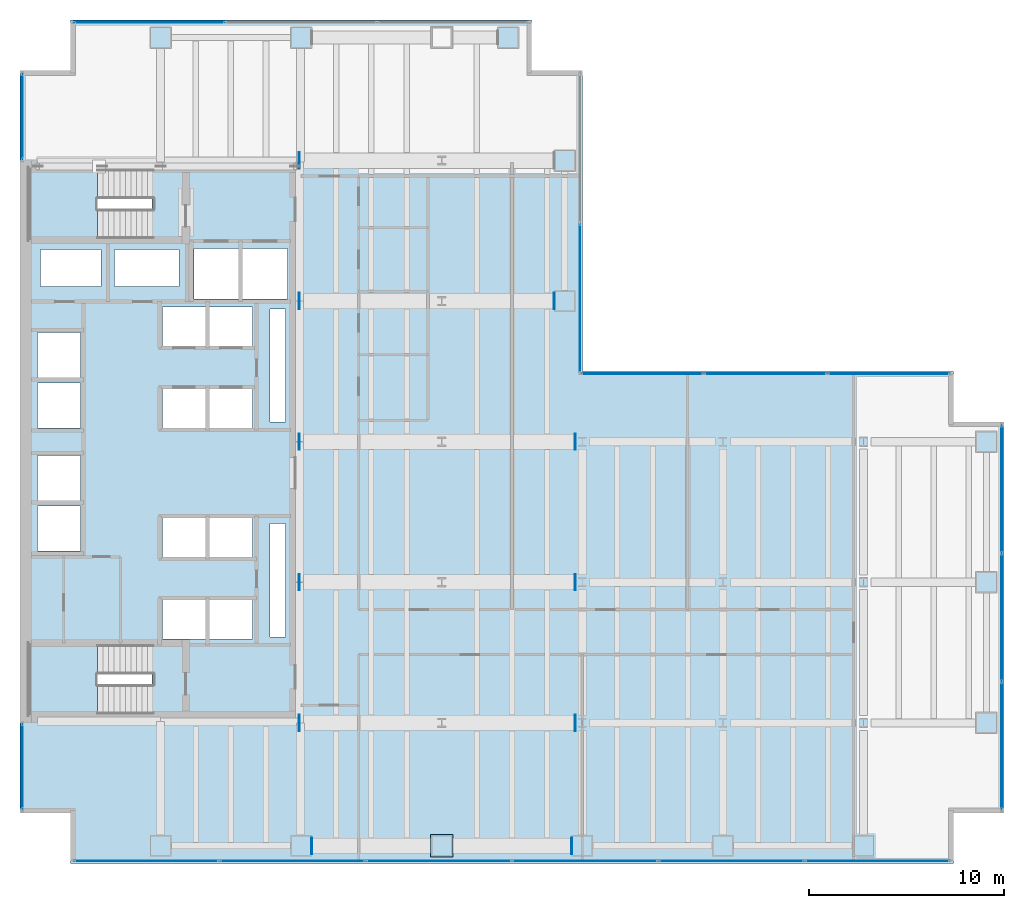
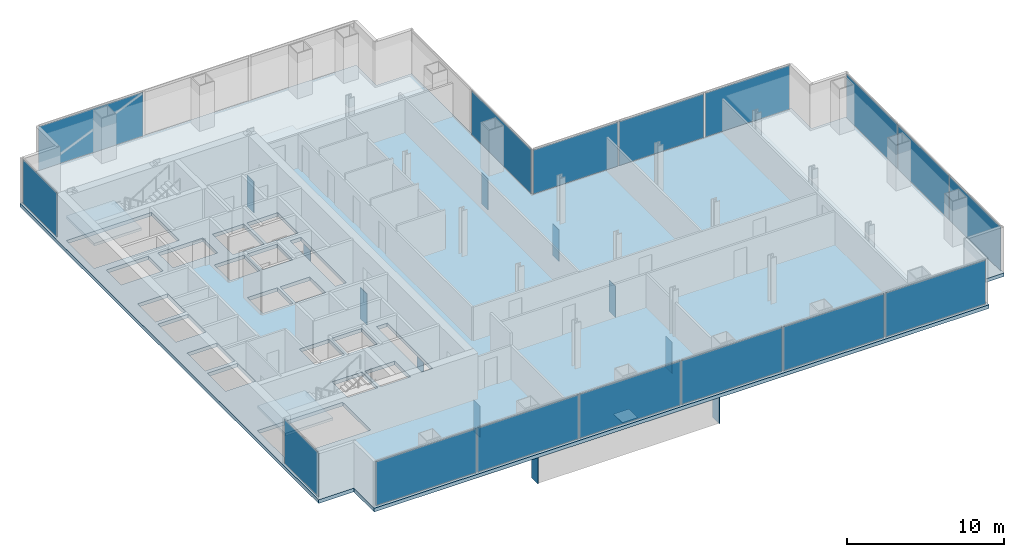
# One storey, part 19 of 24: 28 plates, 3 slabs, 20 openings, 9 elements without a shape of their own.
"""IFC4 building model written with IfcOpenShell, lengths in metres."""

from ifc_helpers import new_model, si_unit, direction, frame, origin, origin_2d, place, context, subcontext, project, spatial, polyline, rectangle, outline, extrude, material, layer, layer_set, type_object, element, aggregate, save


model = new_model("IFC4")

# Units and contexts
model_context = context("Model", 3, precision=1e-05, world=origin(), true_north=direction((0.0, 1.0)))
body_context = subcontext(model_context, "Body", "Model", "MODEL_VIEW")
ifc_project = project(units=[si_unit("LENGTHUNIT", "METRE"), si_unit("AREAUNIT", "SQUARE_METRE"), si_unit("VOLUMEUNIT", "CUBIC_METRE"), si_unit("PLANEANGLEUNIT", "RADIAN"), si_unit("MASSUNIT", "GRAM", prefix="KILO")], contexts=[model_context])

# Site, building, storey
site_placement = place(None, origin())
site = spatial("IfcSite", under=ifc_project, at=site_placement, CompositionType="ELEMENT")
building_placement = place(site_placement, origin())
building = spatial("IfcBuilding", under=site, at=building_placement, Name="Cobrela Telecom Tower", CompositionType="ELEMENT")
storey_placement = place(building_placement, frame((0.0, 0.0, 31.14990234375)))
storey = spatial("IfcBuildingStorey", under=building, at=storey_placement, Name="L07", CompositionType="ELEMENT", Elevation=31.14990234375)

# Curtain wall, plate
ifc_material_1 = material(Name="Anodized Bronze Aluminium 6063-T6", Category="aluminium")
curtain_wall_type = type_object("IfcCurtainWallType", Name="CW-SYS-DATA", PredefinedType="USERDEFINED", material=ifc_material_1)
curtain_wall_1_placement = place(storey_placement, origin())
curtain_wall_1 = element("IfcCurtainWall", 1, at=curtain_wall_1_placement, inside=storey, type_object=curtain_wall_type, Name="L07 Unitised Bronze Curtain Wall 03", ObjectType="UNITISED CURTAIN WALL", PredefinedType="USERDEFINED")
ifc_material_2 = material(Name="Solar-Control Bronze Low-E Glass", Category="glass")
ifc_layer_1 = layer(ifc_material_2, 0.0380859375)
ifc_layer_set_1 = layer_set([ifc_layer_1], Name="Solar-Control Bronze Low-E Glass")
plate_type_1 = type_object("IfcPlateType", Name="CW-SYS-DATA-PNL", PredefinedType="CURTAIN_PANEL", material=ifc_layer_set_1)
plate_1_placement = place(storey_placement, frame((0.1201171875, 4.955078125, 0.0751953125), z_axis=(0.0, 0.0, 1.0), x_axis=(0.0, 1.0, 0.0)))
plate_1 = element("IfcPlate", 2, at=plate_1_placement, type_object=plate_type_1, Name="CW-DATA panel 1.1", PredefinedType="CURTAIN_PANEL", context=body_context, shape_type="SweptSolid", body=[
    extrude(rectangle(XDim=4.330078125, YDim=0.0380859375, at=origin_2d()), origin(), (0.0, 0.0, 1.0), 3.419921875),
])
aggregate(curtain_wall_1, [plate_1])

curtain_wall_2_placement = place(storey_placement, origin())
curtain_wall_2 = element("IfcCurtainWall", 3, at=curtain_wall_2_placement, inside=storey, type_object=curtain_wall_type, Name="L07 Unitised Bronze Curtain Wall 04", ObjectType="UNITISED CURTAIN WALL", PredefinedType="USERDEFINED")
plate_2_placement = place(storey_placement, frame((0.1201171875, 38.2451171875, 0.0751953125), z_axis=(0.0, 0.0, 1.0), x_axis=(0.0, 1.0, 0.0)))
plate_2 = element("IfcPlate", 4, at=plate_2_placement, type_object=plate_type_1, Name="CW-DATA panel 1.1", PredefinedType="CURTAIN_PANEL", context=body_context, shape_type="SweptSolid", body=[
    extrude(rectangle(XDim=4.330078125, YDim=0.0380859375, at=origin_2d()), origin(), (0.0, 0.0, 1.0), 3.419921875),
])
aggregate(curtain_wall_2, [plate_2])

curtain_wall_3_placement = place(storey_placement, origin())
curtain_wall_3 = element("IfcCurtainWall", 5, at=curtain_wall_3_placement, inside=storey, type_object=curtain_wall_type, Name="L07 Unitised Bronze Curtain Wall 07", ObjectType="UNITISED CURTAIN WALL", PredefinedType="USERDEFINED")
plate_3_placement = place(storey_placement, frame((6.626708984375, 43.080078125, 0.0751953125), z_axis=(0.0, 0.0, 1.0), x_axis=(1.0, 0.0, 0.0)))
plate_3 = element("IfcPlate", 6, at=plate_3_placement, type_object=plate_type_1, Name="CW-DATA panel 1.1", PredefinedType="CURTAIN_PANEL", context=body_context, shape_type="SweptSolid", body=[
    extrude(rectangle(XDim=7.67333984375, YDim=0.0380859375, at=origin_2d()), origin(), (0.0, 0.0, 1.0), 3.419921875),
])
aggregate(curtain_wall_3, [plate_3])

curtain_wall_4_placement = place(storey_placement, origin())
curtain_wall_4 = element("IfcCurtainWall", 7, at=curtain_wall_4_placement, inside=storey, type_object=curtain_wall_type, Name="L07 Unitised Bronze Curtain Wall 10", ObjectType="UNITISED CURTAIN WALL", PredefinedType="USERDEFINED")
plate_4_placement = place(storey_placement, frame((28.679931640625, 28.952392578125, 0.0751953125), z_axis=(0.0, 0.0, 1.0), x_axis=(0.0, -1.0, 0.0)))
plate_4 = element("IfcPlate", 8, at=plate_4_placement, type_object=plate_type_1, Name="CW-DATA panel 2.1", PredefinedType="CURTAIN_PANEL", context=body_context, shape_type="SweptSolid", body=[
    extrude(rectangle(XDim=7.5849609375, YDim=0.0380859375, at=origin_2d()), origin(), (0.0, 0.0, 1.0), 3.419921875),
])
aggregate(curtain_wall_4, [plate_4])

# Curtain wall, plates
curtain_wall_5_placement = place(storey_placement, origin())
curtain_wall_5 = element("IfcCurtainWall", 9, at=curtain_wall_5_placement, inside=storey, type_object=curtain_wall_type, Name="L07 Unitised Bronze Curtain Wall 11", ObjectType="UNITISED CURTAIN WALL", PredefinedType="USERDEFINED")
plate_5_placement = place(storey_placement, frame((31.868408203125, 25.080078125, 0.0751953125), z_axis=(0.0, 0.0, 1.0), x_axis=(1.0, 0.0, 0.0)))
plate_5 = element("IfcPlate", 10, at=plate_5_placement, type_object=plate_type_1, Name="CW-DATA panel 1.1", PredefinedType="CURTAIN_PANEL", context=body_context, shape_type="SweptSolid", body=[
    extrude(rectangle(XDim=6.216552734375, YDim=0.0380859375, at=origin_2d()), origin(), (0.0, 0.0, 1.0), 3.419921875),
])
plate_6_placement = place(storey_placement, frame((38.18505859375, 25.080078125, 0.0751953125), z_axis=(0.0, 0.0, 1.0), x_axis=(1.0, 0.0, 0.0)))
plate_6 = element("IfcPlate", 11, at=plate_6_placement, type_object=plate_type_1, Name="CW-DATA panel 2.1", PredefinedType="CURTAIN_PANEL", context=body_context, shape_type="SweptSolid", body=[
    extrude(rectangle(XDim=6.256591796875, YDim=0.0380859375, at=origin_2d()), origin(), (0.0, 0.0, 1.0), 3.419921875),
])
plate_7_placement = place(storey_placement, frame((44.501708984375, 25.080078125, 0.0751953125), z_axis=(0.0, 0.0, 1.0), x_axis=(1.0, 0.0, 0.0)))
plate_7 = element("IfcPlate", 12, at=plate_7_placement, type_object=plate_type_1, Name="CW-DATA panel 3.1", PredefinedType="CURTAIN_PANEL", context=body_context, shape_type="SweptSolid", body=[
    extrude(rectangle(XDim=6.216552734375, YDim=0.0380859375, at=origin_2d()), origin(), (0.0, 0.0, 1.0), 3.419921875),
])
aggregate(curtain_wall_5, [plate_5, plate_6, plate_7])

curtain_wall_6_placement = place(storey_placement, origin())
curtain_wall_6 = element("IfcCurtainWall", 13, at=curtain_wall_6_placement, inside=storey, type_object=curtain_wall_type, Name="L07 Unitised Bronze Curtain Wall 14", ObjectType="UNITISED CURTAIN WALL", PredefinedType="USERDEFINED")
plate_8_placement = place(storey_placement, frame((50.280029296875, 19.17333984375, 0.0751953125), z_axis=(0.0, 0.0, 1.0), x_axis=(0.0, -1.0, 0.0)))
plate_8 = element("IfcPlate", 14, at=plate_8_placement, type_object=plate_type_1, Name="CW-DATA panel 1.1", PredefinedType="CURTAIN_PANEL", context=body_context, shape_type="SweptSolid", body=[
    extrude(rectangle(XDim=6.473388671875, YDim=0.0380859375, at=origin_2d()), origin(), (0.0, 0.0, 1.0), 3.419921875),
])
plate_9_placement = place(storey_placement, frame((50.280029296875, 12.60009765625, 0.0751953125), z_axis=(0.0, 0.0, 1.0), x_axis=(0.0, -1.0, 0.0)))
plate_9 = element("IfcPlate", 15, at=plate_9_placement, type_object=plate_type_1, Name="CW-DATA panel 2.1", PredefinedType="CURTAIN_PANEL", context=body_context, shape_type="SweptSolid", body=[
    extrude(rectangle(XDim=6.513427734375, YDim=0.0380859375, at=origin_2d()), origin(), (0.0, 0.0, 1.0), 3.419921875),
])
plate_10_placement = place(storey_placement, frame((50.280029296875, 6.026611328125, 0.0751953125), z_axis=(0.0, 0.0, 1.0), x_axis=(0.0, -1.0, 0.0)))
plate_10 = element("IfcPlate", 16, at=plate_10_placement, type_object=plate_type_1, Name="CW-DATA panel 3.1", PredefinedType="CURTAIN_PANEL", context=body_context, shape_type="SweptSolid", body=[
    extrude(rectangle(XDim=6.473388671875, YDim=0.0380859375, at=origin_2d()), origin(), (0.0, 0.0, 1.0), 3.419921875),
])
aggregate(curtain_wall_6, [plate_8, plate_9, plate_10])

curtain_wall_7_placement = place(storey_placement, origin())
curtain_wall_7 = element("IfcCurtainWall", 17, at=curtain_wall_7_placement, inside=storey, type_object=curtain_wall_type, Name="L07 Unitised Bronze Curtain Wall 17", ObjectType="UNITISED CURTAIN WALL", PredefinedType="USERDEFINED")
plate_11_placement = place(storey_placement, frame((43.921630859375, 0.1201171875, 0.0751953125), z_axis=(0.0, 0.0, 1.0), x_axis=(-1.0, 0.0, 0.0)))
plate_11 = element("IfcPlate", 18, at=plate_11_placement, type_object=plate_type_1, Name="CW-DATA panel 1.1", PredefinedType="CURTAIN_PANEL", context=body_context, shape_type="SweptSolid", body=[
    extrude(rectangle(XDim=7.376708984375, YDim=0.0380859375, at=origin_2d()), origin(), (0.0, 0.0, 1.0), 3.419921875),
])
plate_12_placement = place(storey_placement, frame((36.445068359375, 0.1201171875, 0.0751953125), z_axis=(0.0, 0.0, 1.0), x_axis=(-1.0, 0.0, 0.0)))
plate_12 = element("IfcPlate", 19, at=plate_12_placement, type_object=plate_type_1, Name="CW-DATA panel 2.1", PredefinedType="CURTAIN_PANEL", context=body_context, shape_type="SweptSolid", body=[
    extrude(rectangle(XDim=7.416748046875, YDim=0.0380859375, at=origin_2d()), origin(), (0.0, 0.0, 1.0), 3.419921875),
])
plate_13_placement = place(storey_placement, frame((28.9482421875, 0.1201171875, 0.0751953125), z_axis=(0.0, 0.0, 1.0), x_axis=(-1.0, 0.0, 0.0)))
plate_13 = element("IfcPlate", 20, at=plate_13_placement, type_object=plate_type_1, Name="CW-DATA panel 3.1", PredefinedType="CURTAIN_PANEL", context=body_context, shape_type="SweptSolid", body=[
    extrude(rectangle(XDim=7.416748046875, YDim=0.0380859375, at=origin_2d()), origin(), (0.0, 0.0, 1.0), 3.419921875),
])
plate_14_placement = place(storey_placement, frame((21.45166015625, 0.1201171875, 0.0751953125), z_axis=(0.0, 0.0, 1.0), x_axis=(-1.0, 0.0, 0.0)))
plate_14 = element("IfcPlate", 21, at=plate_14_placement, type_object=plate_type_1, Name="CW-DATA panel 4.1", PredefinedType="CURTAIN_PANEL", context=body_context, shape_type="SweptSolid", body=[
    extrude(rectangle(XDim=7.416748046875, YDim=0.0380859375, at=origin_2d()), origin(), (0.0, 0.0, 1.0), 3.419921875),
])
plate_15_placement = place(storey_placement, frame((13.955078125, 0.1201171875, 0.0751953125), z_axis=(0.0, 0.0, 1.0), x_axis=(-1.0, 0.0, 0.0)))
plate_15 = element("IfcPlate", 22, at=plate_15_placement, type_object=plate_type_1, Name="CW-DATA panel 5.1", PredefinedType="CURTAIN_PANEL", context=body_context, shape_type="SweptSolid", body=[
    extrude(rectangle(XDim=7.416748046875, YDim=0.0380859375, at=origin_2d()), origin(), (0.0, 0.0, 1.0), 3.419921875),
])
plate_16_placement = place(storey_placement, frame((6.478271484375, 0.1201171875, 0.0751953125), z_axis=(0.0, 0.0, 1.0), x_axis=(-1.0, 0.0, 0.0)))
plate_16 = element("IfcPlate", 23, at=plate_16_placement, type_object=plate_type_1, Name="CW-DATA panel 6.1", PredefinedType="CURTAIN_PANEL", context=body_context, shape_type="SweptSolid", body=[
    extrude(rectangle(XDim=7.376708984375, YDim=0.0380859375, at=origin_2d()), origin(), (0.0, 0.0, 1.0), 3.419921875),
])
aggregate(curtain_wall_7, [plate_11, plate_12, plate_13, plate_14, plate_15, plate_16])

# Plates
ifc_material_3 = material(Name="Steel ASTM A572 Grade 50", Category="steel")
ifc_layer_2 = layer(ifc_material_3, 0.044921875)
ifc_layer_set_2 = layer_set([ifc_layer_2], Name="Steel ASTM A572 Grade 50")
plate_type_2 = type_object("IfcPlateType", Name="PLT-END-CAP-45", PredefinedType="SHEET", material=ifc_layer_set_2)
plate_17_placement = place(storey_placement, frame((21.60009765625, 0.89990234375, -0.04248046875), z_axis=(0.0, 0.0, 1.0), x_axis=(1.0, 0.0, 0.0)))
element("IfcPlate", 24, at=plate_17_placement, inside=storey, type_object=plate_type_2, Name="L07 Stepped Column Base Cap Plate 57", PredefinedType="SHEET", context=body_context, shape_type="SweptSolid", body=[
    extrude(rectangle(XDim=1.139892578125, YDim=1.139892578125, at=origin_2d()), origin(), (0.0, 0.0, 1.0), 0.044921875),
])
ifc_layer_3 = layer(ifc_material_3, 0.0400390625)
ifc_layer_set_3 = layer_set([ifc_layer_3], Name="Steel ASTM A572 Grade 50")
plate_type_3 = type_object("IfcPlateType", Name="PLT-NODE-ND5", PredefinedType="USERDEFINED", material=ifc_layer_set_3)
for number, where, z_axis, x_axis, name in (
    (25, (14.93505859375, 0.89990234375, -2.699951171875), (0.0, 0.0, 1.0), (1.0, 0.0, 0.0), "Steel node plate PLT-BM-L07-BM-TRG-2400-X-009-150-C0"),
    (26, (28.264892578125, 0.89990234375, -2.699951171875), (0.0, 0.0, 1.0), (1.0, 0.0, 0.0), "Steel node plate PLT-BM-L07-BM-TRG-2400-X-009-150-C1"),
    (27, (14.304931640625, 7.199951171875, -2.699951171875), (0.0, 0.0, 1.0), (1.0, 0.0, 0.0), "Steel node plate PLT-BM-L07-BM-TRG-2400-X-072-143-C0"),
    (28, (28.43994140625, 7.199951171875, -2.699951171875), (0.0, 0.0, 1.0), (1.0, 0.0, 0.0), "Steel node plate PLT-BM-L07-BM-TRG-2400-X-072-143-C1"),
    (29, (14.304931640625, 14.39990234375, -2.699951171875), (0.0, 0.0, 1.0), (1.0, 0.0, 0.0), "Steel node plate PLT-BM-L07-BM-TRG-2400-X-144-143-C0"),
    (30, (28.43994140625, 14.39990234375, -2.699951171875), (0.0, 0.0, 1.0), (1.0, 0.0, 0.0), "Steel node plate PLT-BM-L07-BM-TRG-2400-X-144-143-C1"),
    (31, (14.304931640625, 21.60009765625, -2.699951171875), (0.0, 0.0, 1.0), (1.0, 0.0, 0.0), "Steel node plate PLT-BM-L07-BM-TRG-2400-X-216-143-C0"),
    (32, (28.43994140625, 21.60009765625, -2.699951171875), (0.0, 0.0, 1.0), (1.0, 0.0, 0.0), "Steel node plate PLT-BM-L07-BM-TRG-2400-X-216-143-C1"),
    (33, (14.304931640625, 28.800048828125, -2.699951171875), (0.0, 0.0, 1.0), (1.0, 0.0, 0.0), "Steel node plate PLT-BM-L07-BM-TRG-2400-X-288-143-C0"),
    (34, (27.364990234375, 28.800048828125, -2.699951171875), (0.0, 0.0, 1.0), (1.0, 0.0, 0.0), "Steel node plate PLT-BM-L07-BM-TRG-2400-X-288-143-C1"),
    (35, (14.304931640625, 36.0, -2.699951171875), (0.0, 0.0, 1.0), (1.0, 0.0, 0.0), "Steel node plate PLT-BM-L07-BM-TRG-2400-X-360-143-C0"),
):
    element("IfcPlate", number, at=place(storey_placement, frame(where, z_axis=z_axis, x_axis=x_axis)), inside=storey, type_object=plate_type_3, Name=name, ObjectType="GUSSET PLATE", PredefinedType="USERDEFINED", context=body_context, shape_type="SweptSolid", body=[
        extrude(rectangle(XDim=0.044921875, YDim=0.840087890625, at=origin_2d()), origin(), (0.0, 0.0, 1.0), 2.43994140625),
    ])

# Slab, openings
ifc_material_4 = material(Name="Concrete C40/50", Category="concrete")
ifc_layer_4 = layer(ifc_material_4, 0.280029296875)
ifc_layer_set_4 = layer_set([ifc_layer_4], Name="Concrete C40/50")
slab_type_1 = type_object("IfcSlabType", Name="SLAB-FLR-280", PredefinedType="FLOOR", material=ifc_layer_set_4)
slab_1_placement = place(storey_placement, frame((0.0, 0.0, -0.27978515625)))
slab_1 = element("IfcSlab", 36, at=slab_1_placement, inside=storey, type_object=slab_type_1, Name="L07 Structural Floor Slab", PredefinedType="FLOOR", context=body_context, shape_type="SweptSolid", body=[
    extrude(outline(polyline([(2.590087890625, 0.0), (47.81005859375, 0.0), (47.81005859375, 2.590087890625), (50.39990234375, 2.590087890625), (50.39990234375, 22.610107421875), (47.81005859375, 22.610107421875), (47.81005859375, 25.199951171875), (28.800048828125, 25.199951171875), (28.800048828125, 40.610107421875), (26.2099609375, 40.610107421875), (26.2099609375, 43.199951171875), (2.590087890625, 43.199951171875), (2.590087890625, 40.610107421875), (0.0, 40.610107421875), (0.0, 2.590087890625), (2.590087890625, 2.590087890625), (2.590087890625, 0.0)])), origin(), (0.0, 0.0, 1.0), 0.27978515625),
])
opening_1_placement = place(slab_1_placement, frame((0.0, 0.0, -0.02001953125)))
element("IfcOpeningElement", 37, at=opening_1_placement, cuts=slab_1, Name="Slab Shaft Opening SLAB-L07-MAIN.1", PredefinedType="OPENING", context=body_context, shape_type="SweptSolid", body=[
    extrude(outline(polyline([(8.89990234375, 28.89990234375), (11.199951171875, 28.89990234375), (11.199951171875, 31.5), (8.89990234375, 31.5), (8.89990234375, 28.89990234375)])), origin(), (0.0, 0.0, 1.0), 0.31982421875),
])
opening_2_placement = place(slab_1_placement, frame((0.0, 0.0, -0.02001953125)))
element("IfcOpeningElement", 38, at=opening_2_placement, cuts=slab_1, Name="Slab Shaft Opening SLAB-L07-MAIN.2", PredefinedType="OPENING", context=body_context, shape_type="SweptSolid", body=[
    extrude(outline(polyline([(11.39990234375, 28.89990234375), (13.699951171875, 28.89990234375), (13.699951171875, 31.5), (11.39990234375, 31.5), (11.39990234375, 28.89990234375)])), origin(), (0.0, 0.0, 1.0), 0.31982421875),
])
opening_3_placement = place(slab_1_placement, frame((0.0, 0.0, -0.02001953125)))
element("IfcOpeningElement", 39, at=opening_3_placement, cuts=slab_1, Name="Slab Shaft Opening SLAB-L07-MAIN.3", PredefinedType="OPENING", context=body_context, shape_type="SweptSolid", body=[
    extrude(outline(polyline([(7.300048828125, 22.300048828125), (9.5, 22.300048828125), (9.5, 24.300048828125), (7.300048828125, 24.300048828125), (7.300048828125, 22.300048828125)])), origin(), (0.0, 0.0, 1.0), 0.31982421875),
])
opening_4_placement = place(slab_1_placement, frame((0.0, 0.0, -0.02001953125)))
element("IfcOpeningElement", 40, at=opening_4_placement, cuts=slab_1, Name="Slab Shaft Opening SLAB-L07-MAIN.4", PredefinedType="OPENING", context=body_context, shape_type="SweptSolid", body=[
    extrude(outline(polyline([(9.699951171875, 22.300048828125), (11.89990234375, 22.300048828125), (11.89990234375, 24.300048828125), (9.699951171875, 24.300048828125), (9.699951171875, 22.300048828125)])), origin(), (0.0, 0.0, 1.0), 0.31982421875),
])
opening_5_placement = place(slab_1_placement, frame((0.0, 0.0, -0.02001953125)))
element("IfcOpeningElement", 41, at=opening_5_placement, cuts=slab_1, Name="Slab Shaft Opening SLAB-L07-MAIN.5", PredefinedType="OPENING", context=body_context, shape_type="SweptSolid", body=[
    extrude(outline(polyline([(7.300048828125, 26.5), (9.5, 26.5), (9.5, 28.5), (7.300048828125, 28.5), (7.300048828125, 26.5)])), origin(), (0.0, 0.0, 1.0), 0.31982421875),
])
opening_6_placement = place(slab_1_placement, frame((0.0, 0.0, -0.02001953125)))
element("IfcOpeningElement", 42, at=opening_6_placement, cuts=slab_1, Name="Slab Shaft Opening SLAB-L07-MAIN.6", PredefinedType="OPENING", context=body_context, shape_type="SweptSolid", body=[
    extrude(outline(polyline([(9.699951171875, 26.5), (11.89990234375, 26.5), (11.89990234375, 28.5), (9.699951171875, 28.5), (9.699951171875, 26.5)])), origin(), (0.0, 0.0, 1.0), 0.31982421875),
])
opening_7_placement = place(slab_1_placement, frame((0.0, 0.0, -0.02001953125)))
element("IfcOpeningElement", 43, at=opening_7_placement, cuts=slab_1, Name="Slab Shaft Opening SLAB-L07-MAIN.7", PredefinedType="OPENING", context=body_context, shape_type="SweptSolid", body=[
    extrude(outline(polyline([(7.300048828125, 15.699951171875), (9.5, 15.699951171875), (9.5, 17.699951171875), (7.300048828125, 17.699951171875), (7.300048828125, 15.699951171875)])), origin(), (0.0, 0.0, 1.0), 0.31982421875),
])
opening_8_placement = place(slab_1_placement, frame((0.0, 0.0, -0.02001953125)))
element("IfcOpeningElement", 44, at=opening_8_placement, cuts=slab_1, Name="Slab Shaft Opening SLAB-L07-MAIN.8", PredefinedType="OPENING", context=body_context, shape_type="SweptSolid", body=[
    extrude(outline(polyline([(9.699951171875, 15.699951171875), (11.89990234375, 15.699951171875), (11.89990234375, 17.699951171875), (9.699951171875, 17.699951171875), (9.699951171875, 15.699951171875)])), origin(), (0.0, 0.0, 1.0), 0.31982421875),
])
opening_9_placement = place(slab_1_placement, frame((0.0, 0.0, -0.02001953125)))
element("IfcOpeningElement", 45, at=opening_9_placement, cuts=slab_1, Name="Slab Shaft Opening SLAB-L07-MAIN.9", PredefinedType="OPENING", context=body_context, shape_type="SweptSolid", body=[
    extrude(outline(polyline([(7.300048828125, 11.5), (9.5, 11.5), (9.5, 13.5), (7.300048828125, 13.5), (7.300048828125, 11.5)])), origin(), (0.0, 0.0, 1.0), 0.31982421875),
])
opening_10_placement = place(slab_1_placement, frame((0.0, 0.0, -0.02001953125)))
element("IfcOpeningElement", 46, at=opening_10_placement, cuts=slab_1, Name="Slab Shaft Opening SLAB-L07-MAIN.10", PredefinedType="OPENING", context=body_context, shape_type="SweptSolid", body=[
    extrude(outline(polyline([(9.699951171875, 11.5), (11.89990234375, 11.5), (11.89990234375, 13.5), (9.699951171875, 13.5), (9.699951171875, 11.5)])), origin(), (0.0, 0.0, 1.0), 0.31982421875),
])
opening_11_placement = place(slab_1_placement, frame((0.0, 0.0, -0.02001953125)))
element("IfcOpeningElement", 47, at=opening_11_placement, cuts=slab_1, Name="Slab Shaft Opening SLAB-L07-MAIN.11", PredefinedType="OPENING", context=body_context, shape_type="SweptSolid", body=[
    extrude(outline(polyline([(0.89990234375, 16.0), (3.10009765625, 16.0), (3.10009765625, 18.300048828125), (0.89990234375, 18.300048828125), (0.89990234375, 16.0)])), origin(), (0.0, 0.0, 1.0), 0.31982421875),
])
opening_12_placement = place(slab_1_placement, frame((0.0, 0.0, -0.02001953125)))
element("IfcOpeningElement", 48, at=opening_12_placement, cuts=slab_1, Name="Slab Shaft Opening SLAB-L07-MAIN.12", PredefinedType="OPENING", context=body_context, shape_type="SweptSolid", body=[
    extrude(outline(polyline([(0.89990234375, 18.60009765625), (3.10009765625, 18.60009765625), (3.10009765625, 20.89990234375), (0.89990234375, 20.89990234375), (0.89990234375, 18.60009765625)])), origin(), (0.0, 0.0, 1.0), 0.31982421875),
])
opening_13_placement = place(slab_1_placement, frame((0.0, 0.0, -0.02001953125)))
element("IfcOpeningElement", 49, at=opening_13_placement, cuts=slab_1, Name="Slab Shaft Opening SLAB-L07-MAIN.13", PredefinedType="OPENING", context=body_context, shape_type="SweptSolid", body=[
    extrude(outline(polyline([(0.89990234375, 22.300048828125), (3.10009765625, 22.300048828125), (3.10009765625, 24.60009765625), (0.89990234375, 24.60009765625), (0.89990234375, 22.300048828125)])), origin(), (0.0, 0.0, 1.0), 0.31982421875),
])
opening_14_placement = place(slab_1_placement, frame((0.0, 0.0, -0.02001953125)))
element("IfcOpeningElement", 50, at=opening_14_placement, cuts=slab_1, Name="Slab Shaft Opening SLAB-L07-MAIN.14", PredefinedType="OPENING", context=body_context, shape_type="SweptSolid", body=[
    extrude(outline(polyline([(0.89990234375, 24.89990234375), (3.10009765625, 24.89990234375), (3.10009765625, 27.199951171875), (0.89990234375, 27.199951171875), (0.89990234375, 24.89990234375)])), origin(), (0.0, 0.0, 1.0), 0.31982421875),
])
opening_15_placement = place(slab_1_placement, frame((0.0, 0.0, -0.02001953125)))
element("IfcOpeningElement", 51, at=opening_15_placement, cuts=slab_1, Name="Slab Shaft Opening SLAB-L07-MAIN.15", PredefinedType="OPENING", context=body_context, shape_type="SweptSolid", body=[
    extrude(outline(polyline([(1.050048828125, 29.550048828125), (4.14990234375, 29.550048828125), (4.14990234375, 31.449951171875), (1.050048828125, 31.449951171875), (1.050048828125, 29.550048828125)])), origin(), (0.0, 0.0, 1.0), 0.31982421875),
])
opening_16_placement = place(slab_1_placement, frame((0.0, 0.0, -0.02001953125)))
element("IfcOpeningElement", 52, at=opening_16_placement, cuts=slab_1, Name="Slab Shaft Opening SLAB-L07-MAIN.16", PredefinedType="OPENING", context=body_context, shape_type="SweptSolid", body=[
    extrude(outline(polyline([(4.85009765625, 29.550048828125), (8.14990234375, 29.550048828125), (8.14990234375, 31.449951171875), (4.85009765625, 31.449951171875), (4.85009765625, 29.550048828125)])), origin(), (0.0, 0.0, 1.0), 0.31982421875),
])
opening_17_placement = place(slab_1_placement, frame((0.0, 0.0, -0.02001953125)))
element("IfcOpeningElement", 53, at=opening_17_placement, cuts=slab_1, Name="Slab Shaft Opening SLAB-L07-MAIN.17", PredefinedType="OPENING", context=body_context, shape_type="SweptSolid", body=[
    extrude(outline(polyline([(12.800048828125, 22.60009765625), (13.60009765625, 22.60009765625), (13.60009765625, 28.39990234375), (12.800048828125, 28.39990234375), (12.800048828125, 22.60009765625)])), origin(), (0.0, 0.0, 1.0), 0.31982421875),
])
opening_18_placement = place(slab_1_placement, frame((0.0, 0.0, -0.02001953125)))
element("IfcOpeningElement", 54, at=opening_18_placement, cuts=slab_1, Name="Slab Shaft Opening SLAB-L07-MAIN.18", PredefinedType="OPENING", context=body_context, shape_type="SweptSolid", body=[
    extrude(outline(polyline([(12.800048828125, 11.60009765625), (13.60009765625, 11.60009765625), (13.60009765625, 17.39990234375), (12.800048828125, 17.39990234375), (12.800048828125, 11.60009765625)])), origin(), (0.0, 0.0, 1.0), 0.31982421875),
])
opening_19_placement = place(slab_1_placement, frame((0.0, 0.0, -0.02001953125)))
element("IfcOpeningElement", 55, at=opening_19_placement, cuts=slab_1, Name="Slab Shaft Opening SLAB-L07-MAIN.19", PredefinedType="OPENING", context=body_context, shape_type="SweptSolid", body=[
    extrude(outline(polyline([(6.7548828125, 35.550048828125), (0.47998046875, 35.550048828125), (0.47998046875, 32.0), (6.7548828125, 32.0), (6.7548828125, 35.550048828125)])), origin(), (0.0, 0.0, 1.0), 0.31982421875),
])
opening_20_placement = place(slab_1_placement, frame((0.0, 0.0, -0.02001953125)))
element("IfcOpeningElement", 56, at=opening_20_placement, cuts=slab_1, Name="Slab Shaft Opening SLAB-L07-MAIN.20", PredefinedType="OPENING", context=body_context, shape_type="SweptSolid", body=[
    extrude(outline(polyline([(6.7548828125, 11.199951171875), (0.47998046875, 11.199951171875), (0.47998046875, 7.64990234375), (6.7548828125, 7.64990234375), (6.7548828125, 11.199951171875)])), origin(), (0.0, 0.0, 1.0), 0.31982421875),
])

# Stair, slab
stair_type = type_object("IfcStairType", Name="STAIR-CORE", PredefinedType="HALF_TURN_STAIR", material=ifc_material_4)
stair_1_placement = place(storey_placement, origin())
stair_1 = element("IfcStair", 57, at=stair_1_placement, inside=storey, type_object=stair_type, Name="L07 Smokeproof Exit Stair ST1", PredefinedType="HALF_TURN_STAIR")
ifc_layer_5 = layer(ifc_material_4, 0.199951171875)
ifc_layer_set_5 = layer_set([ifc_layer_5], Name="Concrete C40/50")
slab_type_2 = type_object("IfcSlabType", Name="SLAB-LAND-200", PredefinedType="LANDING", material=ifc_layer_set_5)
slab_2_placement = place(storey_placement, frame((0.0, 0.0, 1.72509765625)))
slab_2 = element("IfcSlab", 58, at=slab_2_placement, type_object=slab_type_2, Name="ST1 landing 1", PredefinedType="LANDING", context=body_context, shape_type="SweptSolid", body=[
    extrude(outline(polyline([(3.969970703125, 35.550048828125), (0.47998046875, 35.550048828125), (0.47998046875, 32.0), (3.969970703125, 32.0), (3.969970703125, 35.550048828125)])), origin(), (0.0, 0.0, 1.0), 0.199951171875),
])
aggregate(stair_1, [slab_2])

stair_2_placement = place(storey_placement, origin())
stair_2 = element("IfcStair", 59, at=stair_2_placement, inside=storey, type_object=stair_type, Name="L07 Smokeproof Exit Stair ST2", PredefinedType="HALF_TURN_STAIR")
slab_3_placement = place(storey_placement, frame((0.0, 0.0, 1.72509765625)))
slab_3 = element("IfcSlab", 60, at=slab_3_placement, type_object=slab_type_2, Name="ST2 landing 1", PredefinedType="LANDING", context=body_context, shape_type="SweptSolid", body=[
    extrude(outline(polyline([(3.969970703125, 11.199951171875), (0.47998046875, 11.199951171875), (0.47998046875, 7.64990234375), (3.969970703125, 7.64990234375), (3.969970703125, 11.199951171875)])), origin(), (0.0, 0.0, 1.0), 0.199951171875),
])
aggregate(stair_2, [slab_3])

save(model, "model.ifc")
